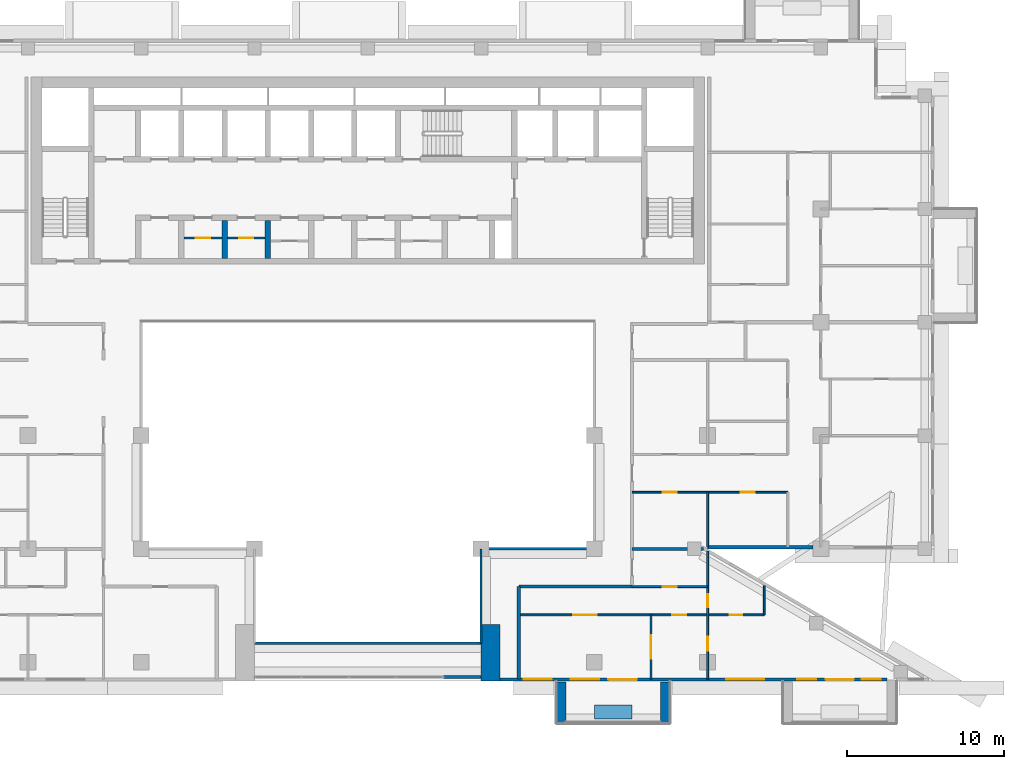
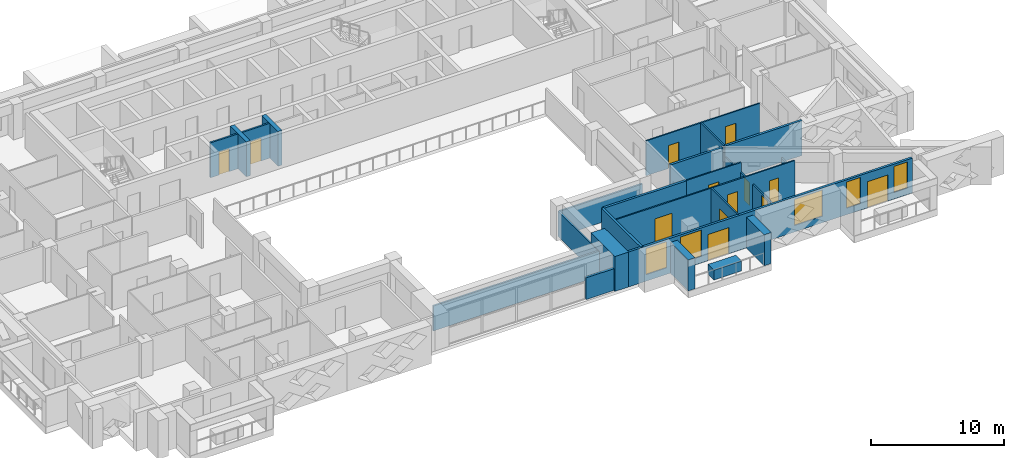
# One storey, part 8 of 20: 24 walls, 13 doors, 5 windows, 18 openings.
"""IFC4 building model written with IfcOpenShell, lengths in metres."""

from ifc_helpers import new_model, si_unit, direction, frame, frame_2d, origin, place, context, subcontext, project, spatial, rectangle, extrude, material, layer, layer_set, type_object, element, fill, save


model = new_model("IFC4")

# Units and contexts
model_context = context("Model", 3, precision=1e-05, world=origin(), true_north=direction((0.0, 1.0)))
body_context = subcontext(model_context, "Body", "Model", "MODEL_VIEW")
ifc_project = project(units=[si_unit("LENGTHUNIT", "METRE"), si_unit("AREAUNIT", "SQUARE_METRE"), si_unit("VOLUMEUNIT", "CUBIC_METRE"), si_unit("PLANEANGLEUNIT", "RADIAN"), si_unit("MASSUNIT", "GRAM", prefix="KILO")], contexts=[model_context])

# Site, building, storey
site_placement = place(None, origin())
site = spatial("IfcSite", under=ifc_project, at=site_placement, CompositionType="ELEMENT")
building_placement = place(site_placement, origin())
building = spatial("IfcBuilding", under=site, at=building_placement, Name="Saffron Iwan Residences", CompositionType="ELEMENT")
storey_placement = place(building_placement, frame((0.0, 0.0, 171.0)))
storey = spatial("IfcBuildingStorey", under=building, at=storey_placement, Name="L45", CompositionType="ELEMENT", Elevation=171.0)

# Walls
ifc_material_1 = material(Name="Fire-rated glazing", Category="glass")
ifc_layer_1 = layer(ifc_material_1, 0.14990234375)
ifc_layer_set_1 = layer_set([ifc_layer_1], Name="Fire-rated glazing")
wall_type_1 = type_object("IfcWallType", Name="Atrium glazed screen 150", PredefinedType="SOLIDWALL", material=ifc_layer_set_1)
wall_1_placement = place(storey_placement, frame((43.199951171875, 42.0, 0.0), z_axis=(0.0, 0.0, 1.0), x_axis=(1.0, 0.0, 0.0)))
element("IfcWall", 1, at=wall_1_placement, inside=storey, type_object=wall_type_1, Name="W-L45-SCREEN-h42-43.2", PredefinedType="SOLIDWALL", context=body_context, shape_type="SweptSolid", body=[
    extrude(rectangle(XDim=14.400146484375, YDim=0.14990234375, at=frame_2d((7.2001953125, 0.0))), origin(), (0.0, 0.0, 1.0), 2.300048828125),
])
wall_2_placement = place(storey_placement, frame((57.60009765625, 48.0, 0.0), z_axis=(0.0, 0.0, 1.0), x_axis=(1.0, 0.0, 0.0)))
element("IfcWall", 2, at=wall_2_placement, inside=storey, type_object=wall_type_1, Name="W-L45-SCREEN-h48-57.6", PredefinedType="SOLIDWALL", context=body_context, shape_type="SweptSolid", body=[
    extrude(rectangle(XDim=7.199951171875, YDim=0.14990234375, at=frame_2d((3.60009765625, 0.0))), origin(), (0.0, 0.0, 1.0), 2.300048828125),
])
wall_3_placement = place(storey_placement, frame((57.60009765625, 42.0, 0.0), z_axis=(0.0, 0.0, 1.0), x_axis=(0.0, 1.0, 0.0)))
element("IfcWall", 3, at=wall_3_placement, inside=storey, type_object=wall_type_1, Name="W-L45-SCREEN-v57.6-42", PredefinedType="SOLIDWALL", context=body_context, shape_type="SweptSolid", body=[
    extrude(rectangle(XDim=6.0, YDim=0.14990234375, at=frame_2d((3.0, 0.0))), origin(), (0.0, 0.0, 1.0), 2.300048828125),
])
ifc_material_2 = material(Name="Concrete C50/60 white painted", Category="concrete")
ifc_layer_2 = layer(ifc_material_2, 0.60009765625)
ifc_layer_set_2 = layer_set([ifc_layer_2], Name="Concrete C50/60 white painted")
wall_type_2 = type_object("IfcWallType", Name="BALCONY FIN 600", PredefinedType="SOLIDWALL", material=ifc_layer_set_2)
for number, where, z_axis, x_axis, name in (
    (4, (62.699951171875, 39.550048828125, 0.0), (0.0, 0.0, 1.0), (0.0, -1.0, 0.0), "Balcony fin L45 11-2a"),
    (5, (69.300048828125, 39.550048828125, 0.0), (0.0, 0.0, 1.0), (0.0, -1.0, 0.0), "Balcony fin L45 11-2b"),
):
    element("IfcWall", number, at=place(storey_placement, frame(where, z_axis=z_axis, x_axis=x_axis)), inside=storey, type_object=wall_type_2, Name=name, PredefinedType="SOLIDWALL", context=body_context, shape_type="SweptSolid", body=[
        extrude(rectangle(XDim=2.650146484375, YDim=0.60009765625, at=frame_2d((1.3251953125, 0.0))), origin(), (0.0, 0.0, 1.0), 2.85009765625),
    ])
ifc_material_3 = material(Name="Concrete C35/45 white painted", Category="concrete")
ifc_layer_3 = layer(ifc_material_3, 0.14990234375)
ifc_layer_set_3 = layer_set([ifc_layer_3], Name="Concrete C35/45 white painted")
wall_type_3 = type_object("IfcWallType", Name="BALCONY PLANTER", PredefinedType="SOLIDWALL", material=ifc_layer_set_3)
wall_4_placement = place(storey_placement, frame((64.800048828125, 37.625, 0.0), z_axis=(0.0, 0.0, 1.0), x_axis=(1.0, 0.0, 0.0)))
element("IfcWall", 6, at=wall_4_placement, inside=storey, type_object=wall_type_3, Name="PLANTER L45 11-2", PredefinedType="SOLIDWALL", context=body_context, shape_type="SweptSolid", body=[
    extrude(rectangle(XDim=2.39990234375, YDim=0.89990234375, at=frame_2d((1.199951171875, 0.0))), origin(), (0.0, 0.0, 1.0), 0.89990234375),
])

# Wall, opening, door
ifc_material_4 = material(Name="Fire-rated plasterboard partition")
ifc_layer_4 = layer(ifc_material_4, 0.14990234375)
ifc_layer_set_4 = layer_set([ifc_layer_4], Name="Fire-rated plasterboard partition")
wall_type_4 = type_object("IfcWallType", Name="Core partition 150", PredefinedType="PARTITIONING", material=ifc_layer_set_4)
wall_5_placement = place(storey_placement, frame((38.72509765625, 67.759521484375, 0.0), z_axis=(0.0, 0.0, 1.0), x_axis=(1.0, 0.0, 0.0)))
wall_5 = element("IfcWall", 7, at=wall_5_placement, inside=storey, type_object=wall_type_4, Name="Core partition P01", PredefinedType="PARTITIONING", context=body_context, shape_type="SweptSolid", body=[
    extrude(rectangle(XDim=2.39990234375, YDim=0.14990234375, at=frame_2d((1.199951171875, 0.0))), origin(), (0.0, 0.0, 1.0), 3.199951171875),
])
opening_1_placement = place(wall_5_placement, frame((0.75, 0.0, 0.0)))
opening_1 = element("IfcOpeningElement", 8, at=opening_1_placement, cuts=wall_5, Name="Opening SB", PredefinedType="OPENING", context=body_context, shape_type="SweptSolid", body=[
    extrude(rectangle(XDim=0.89990234375, YDim=2.10009765625, at=frame_2d((0.449951171875, 1.050048828125))), frame((0.0, 0.0849609375, 0.0), z_axis=(0.0, -1.0, 0.0), x_axis=(1.0, 0.0, 0.0)), (0.0, 0.0, 1.0), 0.169921875),
])
ifc_material_5 = material(Name="Steel fire door", Category="steel")
door_type_1 = type_object("IfcDoorType", Name="Store door 900", OperationType="NOTDEFINED", PredefinedType="DOOR", material=ifc_material_5)
door_1_placement = place(opening_1_placement, origin())
door_1 = element("IfcDoor", 9, at=door_1_placement, inside=storey, type_object=door_type_1, Name="Door Equipment store", OperationType="SINGLE_SWING_RIGHT", OverallHeight=2.10009765625, OverallWidth=0.89990234375, PredefinedType="DOOR", context=body_context, shape_type="SweptSolid", body=[
    extrude(rectangle(XDim=0.89990234375, YDim=2.10009765625, at=frame_2d((0.449951171875, 1.050048828125))), frame((0.0, 0.02490234375, 0.0), z_axis=(0.0, -1.0, 0.0), x_axis=(1.0, 0.0, 0.0)), (0.0, 0.0, 1.0), 0.050048828125),
])
fill(opening_1, door_1)

wall_6_placement = place(storey_placement, frame((41.47509765625, 67.759521484375, 0.0), z_axis=(0.0, 0.0, 1.0), x_axis=(1.0, 0.0, 0.0)))
wall_6 = element("IfcWall", 10, at=wall_6_placement, inside=storey, type_object=wall_type_4, Name="Core partition P02", PredefinedType="PARTITIONING", context=body_context, shape_type="SweptSolid", body=[
    extrude(rectangle(XDim=2.39990234375, YDim=0.14990234375, at=frame_2d((1.199951171875, 0.0))), origin(), (0.0, 0.0, 1.0), 3.199951171875),
])
opening_2_placement = place(wall_6_placement, frame((0.75, 0.0, 0.0)))
opening_2 = element("IfcOpeningElement", 11, at=opening_2_placement, cuts=wall_6, Name="Opening SB", PredefinedType="OPENING", context=body_context, shape_type="SweptSolid", body=[
    extrude(rectangle(XDim=0.89990234375, YDim=2.10009765625, at=frame_2d((0.449951171875, 1.050048828125))), frame((0.0, 0.0849609375, 0.0), z_axis=(0.0, -1.0, 0.0), x_axis=(1.0, 0.0, 0.0)), (0.0, 0.0, 1.0), 0.169921875),
])
door_2_placement = place(opening_2_placement, origin())
door_2 = element("IfcDoor", 12, at=door_2_placement, inside=storey, type_object=door_type_1, Name="Door Mop store", OperationType="SINGLE_SWING_LEFT", OverallHeight=2.10009765625, OverallWidth=0.89990234375, PredefinedType="DOOR", context=body_context, shape_type="SweptSolid", body=[
    extrude(rectangle(XDim=0.89990234375, YDim=2.10009765625, at=frame_2d((0.449951171875, 1.050048828125))), frame((0.0, 0.02490234375, 0.0), z_axis=(0.0, -1.0, 0.0), x_axis=(1.0, 0.0, 0.0)), (0.0, 0.0, 1.0), 0.050048828125),
])
fill(opening_2, door_2)

# Wall
ifc_material_6 = material(Name="Concrete C40/50", Category="concrete")
ifc_layer_5 = layer(ifc_material_6, 0.199951171875)
ifc_layer_set_5 = layer_set([ifc_layer_5], Name="Concrete C40/50")
wall_type_5 = type_object("IfcWallType", Name="EXTERNAL WALL 200", PredefinedType="SOLIDWALL", material=ifc_layer_set_5)
wall_7_placement = place(storey_placement, frame((71.989990234375, 48.10009765625, 0.0), z_axis=(0.0, 0.0, 1.0), x_axis=(1.0, 0.0, 0.0)))
element("IfcWall", 13, at=wall_7_placement, inside=storey, type_object=wall_type_5, Name="External wall L45 F1.0", PredefinedType="SOLIDWALL", context=body_context, shape_type="SweptSolid", body=[
    extrude(rectangle(XDim=6.7099609375, YDim=0.199951171875, at=frame_2d((3.35498046875, 0.0))), origin(), (0.0, 0.0, 1.0), 3.199951171875),
])

# Wall, openings, doors, windows
wall_8_placement = place(storey_placement, frame((58.800048828125, 39.699951171875, 0.0), z_axis=(0.0, 0.0, 1.0), x_axis=(1.0, 0.0, 0.0)))
wall_8 = element("IfcWall", 14, at=wall_8_placement, inside=storey, type_object=wall_type_5, Name="External wall L45 F11.1", PredefinedType="SOLIDWALL", context=body_context, shape_type="SweptSolid", body=[
    extrude(rectangle(XDim=24.599853515625, YDim=0.199951171875, at=frame_2d((12.2998046875, 0.0))), origin(), (0.0, 0.0, 1.0), 3.199951171875),
])
opening_3_placement = place(wall_8_placement, frame((6.89990234375, 0.0, 0.0)))
opening_3 = element("IfcOpeningElement", 15, at=opening_3_placement, cuts=wall_8, Name="Opening BD1", PredefinedType="OPENING", context=body_context, shape_type="SweptSolid", body=[
    extrude(rectangle(XDim=1.800048828125, YDim=2.39990234375, at=frame_2d((0.89990234375, 1.199951171875))), frame((0.0, 0.10986328125, 0.0), z_axis=(0.0, -1.0, 0.0), x_axis=(1.0, 0.0, 0.0)), (0.0, 0.0, 1.0), 0.219970703125),
])
opening_4_placement = place(wall_8_placement, frame((20.699951171875, 0.0, 0.0)))
opening_4 = element("IfcOpeningElement", 16, at=opening_4_placement, cuts=wall_8, Name="Opening BD1", PredefinedType="OPENING", context=body_context, shape_type="SweptSolid", body=[
    extrude(rectangle(XDim=1.800048828125, YDim=2.39990234375, at=frame_2d((0.89990234375, 1.199951171875))), frame((0.0, 0.10986328125, 0.0), z_axis=(0.0, -1.0, 0.0), x_axis=(1.0, 0.0, 0.0)), (0.0, 0.0, 1.0), 0.219970703125),
])
opening_5_placement = place(wall_8_placement, frame((1.5, 0.0, 0.60009765625)))
opening_5 = element("IfcOpeningElement", 17, at=opening_5_placement, cuts=wall_8, Name="Opening W8", PredefinedType="OPENING", context=body_context, shape_type="SweptSolid", body=[
    extrude(rectangle(XDim=1.800048828125, YDim=2.39990234375, at=frame_2d((0.89990234375, 1.199951171875))), frame((0.0, 0.10986328125, 0.0), z_axis=(0.0, -1.0, 0.0), x_axis=(1.0, 0.0, 0.0)), (0.0, 0.0, 1.0), 0.219970703125),
])
opening_6_placement = place(wall_8_placement, frame((4.5, 0.0, 0.60009765625)))
opening_6 = element("IfcOpeningElement", 18, at=opening_6_placement, cuts=wall_8, Name="Opening W8", PredefinedType="OPENING", context=body_context, shape_type="SweptSolid", body=[
    extrude(rectangle(XDim=1.800048828125, YDim=2.39990234375, at=frame_2d((0.89990234375, 1.199951171875))), frame((0.0, 0.10986328125, 0.0), z_axis=(0.0, -1.0, 0.0), x_axis=(1.0, 0.0, 0.0)), (0.0, 0.0, 1.0), 0.219970703125),
])
opening_7_placement = place(wall_8_placement, frame((14.39990234375, 0.0, 0.60009765625)))
opening_7 = element("IfcOpeningElement", 19, at=opening_7_placement, cuts=wall_8, Name="Opening W1", PredefinedType="OPENING", context=body_context, shape_type="SweptSolid", body=[
    extrude(rectangle(XDim=2.39990234375, YDim=2.39990234375, at=frame_2d((1.199951171875, 1.199951171875))), frame((0.0, 0.10986328125, 0.0), z_axis=(0.0, -1.0, 0.0), x_axis=(1.0, 0.0, 0.0)), (0.0, 0.0, 1.0), 0.219970703125),
])
opening_8_placement = place(wall_8_placement, frame((18.89990234375, 0.0, 0.60009765625)))
opening_8 = element("IfcOpeningElement", 20, at=opening_8_placement, cuts=wall_8, Name="Opening W3", PredefinedType="OPENING", context=body_context, shape_type="SweptSolid", body=[
    extrude(rectangle(XDim=1.199951171875, YDim=2.39990234375, at=frame_2d((0.60009765625, 1.199951171875))), frame((0.0, 0.10986328125, 0.0), z_axis=(0.0, -1.0, 0.0), x_axis=(1.0, 0.0, 0.0)), (0.0, 0.0, 1.0), 0.219970703125),
])
opening_9_placement = place(wall_8_placement, frame((23.0, 0.0, 0.60009765625)))
opening_9 = element("IfcOpeningElement", 21, at=opening_9_placement, cuts=wall_8, Name="Opening W3", PredefinedType="OPENING", context=body_context, shape_type="SweptSolid", body=[
    extrude(rectangle(XDim=1.199951171875, YDim=2.39990234375, at=frame_2d((0.60009765625, 1.199951171875))), frame((0.0, 0.10986328125, 0.0), z_axis=(0.0, -1.0, 0.0), x_axis=(1.0, 0.0, 0.0)), (0.0, 0.0, 1.0), 0.219970703125),
])
ifc_material_7 = material(Name="Clear glass, laminated double glazed", Category="glass")
door_type_2 = type_object("IfcDoorType", Name="BALCONY DOOR 1800 x 2400", OperationType="DOUBLE_DOOR_SLIDING", PredefinedType="DOOR", material=ifc_material_7)
door_3_placement = place(opening_3_placement, origin())
door_3 = element("IfcDoor", 22, at=door_3_placement, inside=storey, type_object=door_type_2, Name="Balcony door L45 F11.0", OperationType="DOUBLE_DOOR_SLIDING", OverallHeight=2.39990234375, OverallWidth=1.800048828125, PredefinedType="DOOR", context=body_context, shape_type="SweptSolid", body=[
    extrude(rectangle(XDim=1.800048828125, YDim=2.39990234375, at=frame_2d((0.89990234375, 1.199951171875))), frame((0.0, 0.02490234375, 0.0), z_axis=(0.0, -1.0, 0.0), x_axis=(1.0, 0.0, 0.0)), (0.0, 0.0, 1.0), 0.050048828125),
])
fill(opening_3, door_3)
door_4_placement = place(opening_4_placement, origin())
door_4 = element("IfcDoor", 23, at=door_4_placement, inside=storey, type_object=door_type_2, Name="Balcony door L45 F11.1", OperationType="DOUBLE_DOOR_SLIDING", OverallHeight=2.39990234375, OverallWidth=1.800048828125, PredefinedType="DOOR", context=body_context, shape_type="SweptSolid", body=[
    extrude(rectangle(XDim=1.800048828125, YDim=2.39990234375, at=frame_2d((0.89990234375, 1.199951171875))), frame((0.0, 0.02490234375, 0.0), z_axis=(0.0, -1.0, 0.0), x_axis=(1.0, 0.0, 0.0)), (0.0, 0.0, 1.0), 0.050048828125),
])
fill(opening_4, door_4)
window_type_1 = type_object("IfcWindowType", Name="WINDOW 1200 x 2400", PartitioningType="SINGLE_PANEL", PredefinedType="WINDOW", material=ifc_material_7)
window_1_placement = place(opening_8_placement, origin())
window_1 = element("IfcWindow", 24, at=window_1_placement, inside=storey, type_object=window_type_1, Name="Window L45 F11.5", OverallHeight=2.39990234375, OverallWidth=1.199951171875, PartitioningType="SINGLE_PANEL", PredefinedType="WINDOW", context=body_context, shape_type="SweptSolid", body=[
    extrude(rectangle(XDim=1.199951171875, YDim=2.39990234375, at=frame_2d((0.60009765625, 1.199951171875))), frame((0.0, 0.030029296875, 0.0), z_axis=(0.0, -1.0, 0.0), x_axis=(1.0, 0.0, 0.0)), (0.0, 0.0, 1.0), 0.06005859375),
])
fill(opening_8, window_1)
window_2_placement = place(opening_9_placement, origin())
window_2 = element("IfcWindow", 25, at=window_2_placement, inside=storey, type_object=window_type_1, Name="Window L45 F11.6", OverallHeight=2.39990234375, OverallWidth=1.199951171875, PartitioningType="SINGLE_PANEL", PredefinedType="WINDOW", context=body_context, shape_type="SweptSolid", body=[
    extrude(rectangle(XDim=1.199951171875, YDim=2.39990234375, at=frame_2d((0.60009765625, 1.199951171875))), frame((0.0, 0.030029296875, 0.0), z_axis=(0.0, -1.0, 0.0), x_axis=(1.0, 0.0, 0.0)), (0.0, 0.0, 1.0), 0.06005859375),
])
fill(opening_9, window_2)
window_type_2 = type_object("IfcWindowType", Name="WINDOW 1800 x 2400", PartitioningType="DOUBLE_PANEL_VERTICAL", PredefinedType="WINDOW", material=ifc_material_7)
window_3_placement = place(opening_5_placement, origin())
window_3 = element("IfcWindow", 26, at=window_3_placement, inside=storey, type_object=window_type_2, Name="Window L45 F11.2", OverallHeight=2.39990234375, OverallWidth=1.800048828125, PartitioningType="DOUBLE_PANEL_VERTICAL", PredefinedType="WINDOW", context=body_context, shape_type="SweptSolid", body=[
    extrude(rectangle(XDim=1.800048828125, YDim=2.39990234375, at=frame_2d((0.89990234375, 1.199951171875))), frame((0.0, 0.030029296875, 0.0), z_axis=(0.0, -1.0, 0.0), x_axis=(1.0, 0.0, 0.0)), (0.0, 0.0, 1.0), 0.06005859375),
])
fill(opening_5, window_3)
window_4_placement = place(opening_6_placement, origin())
window_4 = element("IfcWindow", 27, at=window_4_placement, inside=storey, type_object=window_type_2, Name="Window L45 F11.3", OverallHeight=2.39990234375, OverallWidth=1.800048828125, PartitioningType="DOUBLE_PANEL_VERTICAL", PredefinedType="WINDOW", context=body_context, shape_type="SweptSolid", body=[
    extrude(rectangle(XDim=1.800048828125, YDim=2.39990234375, at=frame_2d((0.89990234375, 1.199951171875))), frame((0.0, 0.030029296875, 0.0), z_axis=(0.0, -1.0, 0.0), x_axis=(1.0, 0.0, 0.0)), (0.0, 0.0, 1.0), 0.06005859375),
])
fill(opening_6, window_4)
window_type_3 = type_object("IfcWindowType", Name="WINDOW 2400 x 2400", PartitioningType="DOUBLE_PANEL_VERTICAL", PredefinedType="WINDOW", material=ifc_material_7)
window_5_placement = place(opening_7_placement, origin())
window_5 = element("IfcWindow", 28, at=window_5_placement, inside=storey, type_object=window_type_3, Name="Window L45 F11.4", OverallHeight=2.39990234375, OverallWidth=2.39990234375, PartitioningType="DOUBLE_PANEL_VERTICAL", PredefinedType="WINDOW", context=body_context, shape_type="SweptSolid", body=[
    extrude(rectangle(XDim=2.39990234375, YDim=2.39990234375, at=frame_2d((1.199951171875, 1.199951171875))), frame((0.0, 0.030029296875, 0.0), z_axis=(0.0, -1.0, 0.0), x_axis=(1.0, 0.0, 0.0)), (0.0, 0.0, 1.0), 0.06005859375),
])
fill(opening_7, window_5)

# Walls
wall_9_placement = place(storey_placement, frame((55.199951171875, 39.85009765625, 0.0), z_axis=(0.0, 0.0, 1.0), x_axis=(1.0, 0.0, 0.0)))
element("IfcWall", 29, at=wall_9_placement, inside=storey, type_object=wall_type_5, Name="External wall infill CWB-L45-0", PredefinedType="SOLIDWALL", context=body_context, shape_type="SweptSolid", body=[
    extrude(rectangle(XDim=2.400146484375, YDim=0.199951171875, at=frame_2d((1.2001953125, 0.0))), origin(), (0.0, 0.0, 1.0), 2.0),
])
ifc_material_8 = material(Name="Fire-rated gypsum board wall")
ifc_layer_6 = layer(ifc_material_8, 0.199951171875)
ifc_layer_set_6 = layer_set([ifc_layer_6], Name="Fire-rated gypsum board wall")
wall_type_6 = type_object("IfcWallType", Name="Flat demising wall 200", PredefinedType="SOLIDWALL", material=ifc_layer_set_6)
wall_10_placement = place(storey_placement, frame((67.199951171875, 48.0, 0.0), z_axis=(0.0, 0.0, 1.0), x_axis=(1.0, 0.0, 0.0)))
element("IfcWall", 30, at=wall_10_placement, inside=storey, type_object=wall_type_6, Name="W-L45-DEMISE-h48-67.2", PredefinedType="SOLIDWALL", context=body_context, shape_type="SweptSolid", body=[
    extrude(rectangle(XDim=4.552001953125, YDim=0.199951171875, at=frame_2d((2.27587890625, 0.0))), origin(), (0.0, 0.0, 1.0), 3.199951171875),
])

# Wall, openings, doors
ifc_material_9 = material(Name="Gypsum board partition")
ifc_layer_7 = layer(ifc_material_9, 0.1201171875)
ifc_layer_set_7 = layer_set([ifc_layer_7], Name="Gypsum board partition")
wall_type_7 = type_object("IfcWallType", Name="Flat partition 120", PredefinedType="PARTITIONING", material=ifc_layer_set_7)
wall_11_placement = place(storey_placement, frame((60.0, 43.800048828125, 0.0), z_axis=(0.0, 0.0, 1.0), x_axis=(1.0, 0.0, 0.0)))
wall_11 = element("IfcWall", 31, at=wall_11_placement, inside=storey, type_object=wall_type_7, Name="W-L45-PART-h43.8-60", PredefinedType="PARTITIONING", context=body_context, shape_type="SweptSolid", body=[
    extrude(rectangle(XDim=15.60009765625, YDim=0.1201171875, at=frame_2d((7.800048828125, 0.0))), origin(), (0.0, 0.0, 1.0), 3.199951171875),
])
opening_10_placement = place(wall_11_placement, frame((9.75, 0.0, 0.0)))
opening_10 = element("IfcOpeningElement", 32, at=opening_10_placement, cuts=wall_11, Name="Opening FD2", PredefinedType="OPENING", context=body_context, shape_type="SweptSolid", body=[
    extrude(rectangle(XDim=0.89990234375, YDim=2.10009765625, at=frame_2d((0.449951171875, 1.050048828125))), frame((0.0, 0.070068359375, 0.0), z_axis=(0.0, -1.0, 0.0), x_axis=(1.0, 0.0, 0.0)), (0.0, 0.0, 1.0), 0.14013671875),
])
opening_11_placement = place(wall_11_placement, frame((3.449951171875, 0.0, 0.0)))
opening_11 = element("IfcOpeningElement", 33, at=opening_11_placement, cuts=wall_11, Name="Opening FD4", PredefinedType="OPENING", context=body_context, shape_type="SweptSolid", body=[
    extrude(rectangle(XDim=1.5, YDim=2.10009765625, at=frame_2d((0.75, 1.050048828125))), frame((0.0, 0.070068359375, 0.0), z_axis=(0.0, -1.0, 0.0), x_axis=(1.0, 0.0, 0.0)), (0.0, 0.0, 1.0), 0.14013671875),
])
opening_12_placement = place(wall_11_placement, frame((13.39990234375, 0.0, 0.0)))
opening_12 = element("IfcOpeningElement", 34, at=opening_12_placement, cuts=wall_11, Name="Opening FD3", PredefinedType="OPENING", context=body_context, shape_type="SweptSolid", body=[
    extrude(rectangle(XDim=0.800048828125, YDim=2.10009765625, at=frame_2d((0.39990234375, 1.050048828125))), frame((0.0, 0.070068359375, 0.0), z_axis=(0.0, -1.0, 0.0), x_axis=(1.0, 0.0, 0.0)), (0.0, 0.0, 1.0), 0.14013671875),
])
ifc_material_10 = material(Name="Timber door", Category="wood")
door_type_3 = type_object("IfcDoorType", Name="Bathroom door 800", OperationType="NOTDEFINED", PredefinedType="DOOR", material=ifc_material_10)
door_5_placement = place(opening_12_placement, origin())
door_5 = element("IfcDoor", 35, at=door_5_placement, inside=storey, type_object=door_type_3, Name="Door L45-048", OperationType="SINGLE_SWING_LEFT", OverallHeight=2.10009765625, OverallWidth=0.800048828125, PredefinedType="DOOR", context=body_context, shape_type="SweptSolid", body=[
    extrude(rectangle(XDim=0.800048828125, YDim=2.10009765625, at=frame_2d((0.39990234375, 1.050048828125))), frame((0.0, 0.02490234375, 0.0), z_axis=(0.0, -1.0, 0.0), x_axis=(1.0, 0.0, 0.0)), (0.0, 0.0, 1.0), 0.050048828125),
])
fill(opening_12, door_5)
door_type_4 = type_object("IfcDoorType", Name="Double door 1500", OperationType="NOTDEFINED", PredefinedType="DOOR", material=ifc_material_10)
door_6_placement = place(opening_11_placement, origin())
door_6 = element("IfcDoor", 36, at=door_6_placement, inside=storey, type_object=door_type_4, Name="Door L45-045", OperationType="SINGLE_SWING_LEFT", OverallHeight=2.10009765625, OverallWidth=1.5, PredefinedType="DOOR", context=body_context, shape_type="SweptSolid", body=[
    extrude(rectangle(XDim=1.5, YDim=2.10009765625, at=frame_2d((0.75, 1.050048828125))), frame((0.0, 0.02490234375, 0.0), z_axis=(0.0, -1.0, 0.0), x_axis=(1.0, 0.0, 0.0)), (0.0, 0.0, 1.0), 0.050048828125),
])
fill(opening_11, door_6)
door_type_5 = type_object("IfcDoorType", Name="Flat door 900", OperationType="NOTDEFINED", PredefinedType="DOOR", material=ifc_material_10)
door_7_placement = place(opening_10_placement, origin())
door_7 = element("IfcDoor", 37, at=door_7_placement, inside=storey, type_object=door_type_5, Name="Door L45-044", OperationType="SINGLE_SWING_LEFT", OverallHeight=2.10009765625, OverallWidth=0.89990234375, PredefinedType="DOOR", context=body_context, shape_type="SweptSolid", body=[
    extrude(rectangle(XDim=0.89990234375, YDim=2.10009765625, at=frame_2d((0.449951171875, 1.050048828125))), frame((0.0, 0.02490234375, 0.0), z_axis=(0.0, -1.0, 0.0), x_axis=(1.0, 0.0, 0.0)), (0.0, 0.0, 1.0), 0.050048828125),
])
fill(opening_10, door_7)

# Wall, opening, door
wall_12_placement = place(storey_placement, frame((67.199951171875, 45.60009765625, 0.0), z_axis=(0.0, 0.0, 1.0), x_axis=(1.0, 0.0, 0.0)))
wall_12 = element("IfcWall", 38, at=wall_12_placement, inside=storey, type_object=wall_type_7, Name="W-L45-PART-h45.6-67.2", PredefinedType="PARTITIONING", context=body_context, shape_type="SweptSolid", body=[
    extrude(rectangle(XDim=4.800048828125, YDim=0.1201171875, at=frame_2d((2.39990234375, 0.0))), origin(), (0.0, 0.0, 1.0), 3.199951171875),
])
opening_13_placement = place(wall_12_placement, frame((1.949951171875, 0.0, 0.0)))
opening_13 = element("IfcOpeningElement", 39, at=opening_13_placement, cuts=wall_12, Name="Opening FD2", PredefinedType="OPENING", context=body_context, shape_type="SweptSolid", body=[
    extrude(rectangle(XDim=0.89990234375, YDim=2.10009765625, at=frame_2d((0.449951171875, 1.050048828125))), frame((0.0, 0.070068359375, 0.0), z_axis=(0.0, -1.0, 0.0), x_axis=(1.0, 0.0, 0.0)), (0.0, 0.0, 1.0), 0.14013671875),
])
door_8_placement = place(opening_13_placement, origin())
door_8 = element("IfcDoor", 40, at=door_8_placement, inside=storey, type_object=door_type_5, Name="Door L45-042", OperationType="SINGLE_SWING_LEFT", OverallHeight=2.10009765625, OverallWidth=0.89990234375, PredefinedType="DOOR", context=body_context, shape_type="SweptSolid", body=[
    extrude(rectangle(XDim=0.89990234375, YDim=2.10009765625, at=frame_2d((0.449951171875, 1.050048828125))), frame((0.0, 0.02490234375, 0.0), z_axis=(0.0, -1.0, 0.0), x_axis=(1.0, 0.0, 0.0)), (0.0, 0.0, 1.0), 0.050048828125),
])
fill(opening_13, door_8)

# Wall, openings, doors
wall_13_placement = place(storey_placement, frame((67.199951171875, 51.60009765625, 0.0), z_axis=(0.0, 0.0, 1.0), x_axis=(1.0, 0.0, 0.0)))
wall_13 = element("IfcWall", 41, at=wall_13_placement, inside=storey, type_object=wall_type_7, Name="W-L45-PART-h51.6-67.2", PredefinedType="PARTITIONING", context=body_context, shape_type="SweptSolid", body=[
    extrude(rectangle(XDim=9.900146484375, YDim=0.1201171875, at=frame_2d((4.9501953125, 0.0))), origin(), (0.0, 0.0, 1.0), 3.199951171875),
])
opening_14_placement = place(wall_13_placement, frame((6.89990234375, 0.0, 0.0)))
opening_14 = element("IfcOpeningElement", 42, at=opening_14_placement, cuts=wall_13, Name="Opening FD2", PredefinedType="OPENING", context=body_context, shape_type="SweptSolid", body=[
    extrude(rectangle(XDim=0.89990234375, YDim=2.10009765625, at=frame_2d((0.449951171875, 1.050048828125))), frame((0.0, 0.070068359375, 0.0), z_axis=(0.0, -1.0, 0.0), x_axis=(1.0, 0.0, 0.0)), (0.0, 0.0, 1.0), 0.14013671875),
])
opening_15_placement = place(wall_13_placement, frame((1.949951171875, 0.0, 0.0)))
opening_15 = element("IfcOpeningElement", 43, at=opening_15_placement, cuts=wall_13, Name="Opening FD2", PredefinedType="OPENING", context=body_context, shape_type="SweptSolid", body=[
    extrude(rectangle(XDim=0.89990234375, YDim=2.10009765625, at=frame_2d((0.449951171875, 1.050048828125))), frame((0.0, 0.070068359375, 0.0), z_axis=(0.0, -1.0, 0.0), x_axis=(1.0, 0.0, 0.0)), (0.0, 0.0, 1.0), 0.14013671875),
])
door_9_placement = place(opening_14_placement, origin())
door_9 = element("IfcDoor", 44, at=door_9_placement, inside=storey, type_object=door_type_5, Name="Door L45-020", OperationType="SINGLE_SWING_LEFT", OverallHeight=2.10009765625, OverallWidth=0.89990234375, PredefinedType="DOOR", context=body_context, shape_type="SweptSolid", body=[
    extrude(rectangle(XDim=0.89990234375, YDim=2.10009765625, at=frame_2d((0.449951171875, 1.050048828125))), frame((0.0, 0.02490234375, 0.0), z_axis=(0.0, -1.0, 0.0), x_axis=(1.0, 0.0, 0.0)), (0.0, 0.0, 1.0), 0.050048828125),
])
fill(opening_14, door_9)
door_10_placement = place(opening_15_placement, origin())
door_10 = element("IfcDoor", 45, at=door_10_placement, inside=storey, type_object=door_type_5, Name="Door L45-023", OperationType="SINGLE_SWING_LEFT", OverallHeight=2.10009765625, OverallWidth=0.89990234375, PredefinedType="DOOR", context=body_context, shape_type="SweptSolid", body=[
    extrude(rectangle(XDim=0.89990234375, YDim=2.10009765625, at=frame_2d((0.449951171875, 1.050048828125))), frame((0.0, 0.02490234375, 0.0), z_axis=(0.0, -1.0, 0.0), x_axis=(1.0, 0.0, 0.0)), (0.0, 0.0, 1.0), 0.050048828125),
])
fill(opening_15, door_10)

# Wall, opening, door
wall_14_placement = place(storey_placement, frame((68.39990234375, 39.72509765625, 0.0), z_axis=(0.0, 0.0, 1.0), x_axis=(0.0, 1.0, 0.0)))
wall_14 = element("IfcWall", 46, at=wall_14_placement, inside=storey, type_object=wall_type_7, Name="W-L45-PART-v68.4-39.725", PredefinedType="PARTITIONING", context=body_context, shape_type="SweptSolid", body=[
    extrude(rectangle(XDim=4.074951171875, YDim=0.1201171875, at=frame_2d((2.03759765625, 0.0))), origin(), (0.0, 0.0, 1.0), 3.199951171875),
])
opening_16_placement = place(wall_14_placement, frame((1.28759765625, 0.0, 0.0)))
opening_16 = element("IfcOpeningElement", 47, at=opening_16_placement, cuts=wall_14, Name="Opening FD4", PredefinedType="OPENING", context=body_context, shape_type="SweptSolid", body=[
    extrude(rectangle(XDim=1.5, YDim=2.10009765625, at=frame_2d((0.75, 1.050048828125))), frame((0.0, 0.070068359375, 0.0), z_axis=(0.0, -1.0, 0.0), x_axis=(1.0, 0.0, 0.0)), (0.0, 0.0, 1.0), 0.14013671875),
])
door_11_placement = place(opening_16_placement, origin())
door_11 = element("IfcDoor", 48, at=door_11_placement, inside=storey, type_object=door_type_4, Name="Door L45-041", OperationType="SINGLE_SWING_LEFT", OverallHeight=2.10009765625, OverallWidth=1.5, PredefinedType="DOOR", context=body_context, shape_type="SweptSolid", body=[
    extrude(rectangle(XDim=1.5, YDim=2.10009765625, at=frame_2d((0.75, 1.050048828125))), frame((0.0, 0.02490234375, 0.0), z_axis=(0.0, -1.0, 0.0), x_axis=(1.0, 0.0, 0.0)), (0.0, 0.0, 1.0), 0.050048828125),
])
fill(opening_16, door_11)

# Wall, openings, doors
wall_15_placement = place(storey_placement, frame((72.0, 39.72509765625, 0.0), z_axis=(0.0, 0.0, 1.0), x_axis=(0.0, 1.0, 0.0)))
wall_15 = element("IfcWall", 49, at=wall_15_placement, inside=storey, type_object=wall_type_7, Name="W-L45-PART-v72-39.725", PredefinedType="PARTITIONING", context=body_context, shape_type="SweptSolid", body=[
    extrude(rectangle(XDim=8.1298828125, YDim=0.1201171875, at=frame_2d((4.06494140625, 0.0))), origin(), (0.0, 0.0, 1.0), 2.300048828125),
])
opening_17_placement = place(wall_15_placement, frame((1.78759765625, 0.0, 0.0)))
opening_17 = element("IfcOpeningElement", 50, at=opening_17_placement, cuts=wall_15, Name="Opening FD2", PredefinedType="OPENING", context=body_context, shape_type="SweptSolid", body=[
    extrude(rectangle(XDim=0.89990234375, YDim=2.10009765625, at=frame_2d((0.449951171875, 1.050048828125))), frame((0.0, 0.070068359375, 0.0), z_axis=(0.0, -1.0, 0.0), x_axis=(1.0, 0.0, 0.0)), (0.0, 0.0, 1.0), 0.14013671875),
])
opening_18_placement = place(wall_15_placement, frame((4.574951171875, 0.0, 0.0)))
opening_18 = element("IfcOpeningElement", 51, at=opening_18_placement, cuts=wall_15, Name="Opening FD3", PredefinedType="OPENING", context=body_context, shape_type="SweptSolid", body=[
    extrude(rectangle(XDim=0.800048828125, YDim=2.10009765625, at=frame_2d((0.39990234375, 1.050048828125))), frame((0.0, 0.070068359375, 0.0), z_axis=(0.0, -1.0, 0.0), x_axis=(1.0, 0.0, 0.0)), (0.0, 0.0, 1.0), 0.14013671875),
])
door_12_placement = place(opening_18_placement, origin())
door_12 = element("IfcDoor", 52, at=door_12_placement, inside=storey, type_object=door_type_3, Name="Door L45-047", OperationType="SINGLE_SWING_LEFT", OverallHeight=2.10009765625, OverallWidth=0.800048828125, PredefinedType="DOOR", context=body_context, shape_type="SweptSolid", body=[
    extrude(rectangle(XDim=0.800048828125, YDim=2.10009765625, at=frame_2d((0.39990234375, 1.050048828125))), frame((0.0, 0.02490234375, 0.0), z_axis=(0.0, -1.0, 0.0), x_axis=(1.0, 0.0, 0.0)), (0.0, 0.0, 1.0), 0.050048828125),
])
fill(opening_18, door_12)
door_13_placement = place(opening_17_placement, origin())
door_13 = element("IfcDoor", 53, at=door_13_placement, inside=storey, type_object=door_type_5, Name="Door L45-046", OperationType="SINGLE_SWING_LEFT", OverallHeight=2.10009765625, OverallWidth=0.89990234375, PredefinedType="DOOR", context=body_context, shape_type="SweptSolid", body=[
    extrude(rectangle(XDim=0.89990234375, YDim=2.10009765625, at=frame_2d((0.449951171875, 1.050048828125))), frame((0.0, 0.02490234375, 0.0), z_axis=(0.0, -1.0, 0.0), x_axis=(1.0, 0.0, 0.0)), (0.0, 0.0, 1.0), 0.050048828125),
])
fill(opening_17, door_13)

# Walls
wall_16_placement = place(storey_placement, frame((72.0, 48.125, 0.0), z_axis=(0.0, 0.0, 1.0), x_axis=(0.0, 1.0, 0.0)))
element("IfcWall", 54, at=wall_16_placement, inside=storey, type_object=wall_type_7, Name="W-L45-PART-v72-48.125", PredefinedType="PARTITIONING", context=body_context, shape_type="SweptSolid", body=[
    extrude(rectangle(XDim=3.47509765625, YDim=0.1201171875, at=frame_2d((1.737548828125, 0.0))), origin(), (0.0, 0.0, 1.0), 3.199951171875),
])
wall_17_placement = place(storey_placement, frame((75.60009765625, 43.800048828125, 0.0), z_axis=(0.0, 0.0, 1.0), x_axis=(0.0, 1.0, 0.0)))
element("IfcWall", 55, at=wall_17_placement, inside=storey, type_object=wall_type_7, Name="W-L45-PART-v75.6-43.8", PredefinedType="PARTITIONING", context=body_context, shape_type="SweptSolid", body=[
    extrude(rectangle(XDim=1.868408203125, YDim=0.1201171875, at=frame_2d((0.93408203125, 0.0))), origin(), (0.0, 0.0, 1.0), 2.300048828125),
])
ifc_layer_8 = layer(ifc_material_8, 0.199951171875)
ifc_layer_set_8 = layer_set([ifc_layer_8], Name="Fire-rated gypsum board wall")
wall_type_8 = type_object("IfcWallType", Name="Gallery wall 200", PredefinedType="SOLIDWALL", material=ifc_layer_set_8)
wall_18_placement = place(storey_placement, frame((60.0, 45.60009765625, 0.0), z_axis=(0.0, 0.0, 1.0), x_axis=(1.0, 0.0, 0.0)))
element("IfcWall", 56, at=wall_18_placement, inside=storey, type_object=wall_type_8, Name="W-L45-CORR-h45.6-60", PredefinedType="SOLIDWALL", context=body_context, shape_type="SweptSolid", body=[
    extrude(rectangle(XDim=7.199951171875, YDim=0.199951171875, at=frame_2d((3.60009765625, 0.0))), origin(), (0.0, 0.0, 1.0), 3.199951171875),
])
wall_19_placement = place(storey_placement, frame((60.0, 39.72509765625, 0.0), z_axis=(0.0, 0.0, 1.0), x_axis=(0.0, 1.0, 0.0)))
element("IfcWall", 57, at=wall_19_placement, inside=storey, type_object=wall_type_8, Name="W-L45-CORR-v60-39.725", PredefinedType="SOLIDWALL", context=body_context, shape_type="SweptSolid", body=[
    extrude(rectangle(XDim=5.875, YDim=0.199951171875, at=frame_2d((2.9375, 0.0))), origin(), (0.0, 0.0, 1.0), 3.199951171875),
])
ifc_material_11 = material(Name="Concrete C50/60", Category="concrete")
ifc_layer_9 = layer(ifc_material_11, 0.35009765625)
ifc_layer_set_9 = layer_set([ifc_layer_9], Name="Concrete C50/60")
wall_type_9 = type_object("IfcWallType", Name="WALL CORE 350 C50/60 3200 HIGH", PredefinedType="SHEAR", material=ifc_layer_set_9)
for number, where, z_axis, x_axis, name in (
    (58, (41.300048828125, 66.449951171875, 0.0), (0.0, 0.0, 1.0), (0.0, 1.0, 0.0), "Core wall"),
    (59, (44.050048828125, 66.449951171875, 0.0), (0.0, 0.0, 1.0), (0.0, 1.0, 0.0), "Core wall"),
):
    element("IfcWall", number, at=place(storey_placement, frame(where, z_axis=z_axis, x_axis=x_axis)), inside=storey, type_object=wall_type_9, Name=name, PredefinedType="SHEAR", context=body_context, shape_type="SweptSolid", body=[
        extrude(rectangle(XDim=2.425048828125, YDim=0.35009765625, at=frame_2d((1.21240234375, 0.0))), origin(), (0.0, 0.0, 1.0), 3.199951171875),
    ])
ifc_layer_10 = layer(ifc_material_11, 1.199951171875)
ifc_layer_set_10 = layer_set([ifc_layer_10], Name="Concrete C50/60")
wall_type_10 = type_object("IfcWallType", Name="WALL IWAN PIER 1200 C50/60 3200 HIGH", PredefinedType="SHEAR", material=ifc_layer_set_10)
wall_20_placement = place(storey_placement, frame((58.199951171875, 39.60009765625, 0.0), z_axis=(0.0, 0.0, 1.0), x_axis=(0.0, 1.0, 0.0)))
element("IfcWall", 60, at=wall_20_placement, inside=storey, type_object=wall_type_10, Name="IWAN PIER", PredefinedType="SHEAR", context=body_context, shape_type="SweptSolid", body=[
    extrude(rectangle(XDim=3.599853515625, YDim=1.199951171875, at=frame_2d((1.7998046875, 0.0))), origin(), (0.0, 0.0, 1.0), 3.199951171875),
])

save(model, "model.ifc")
